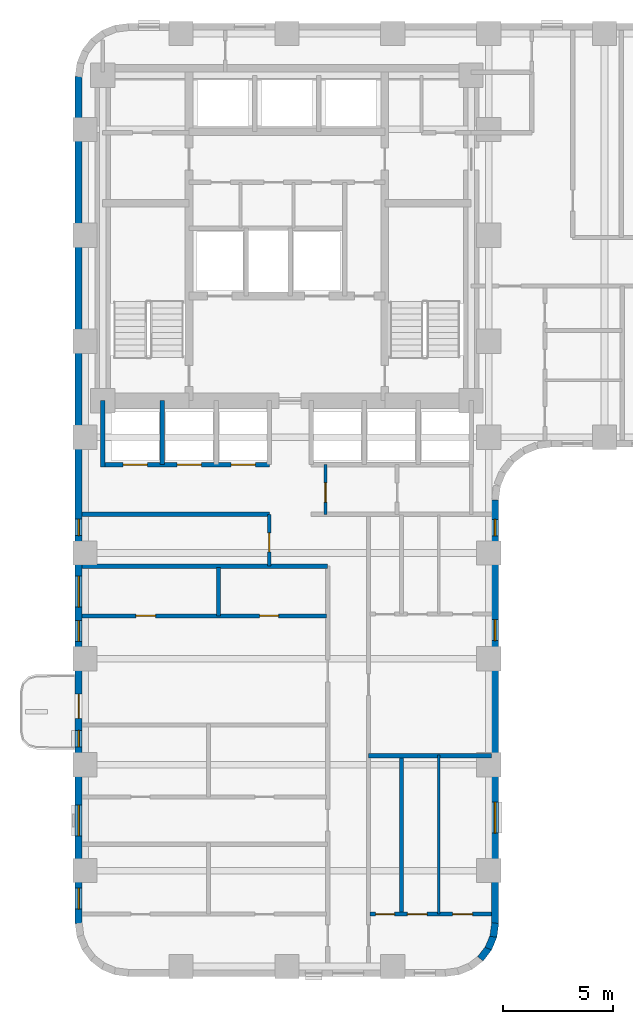
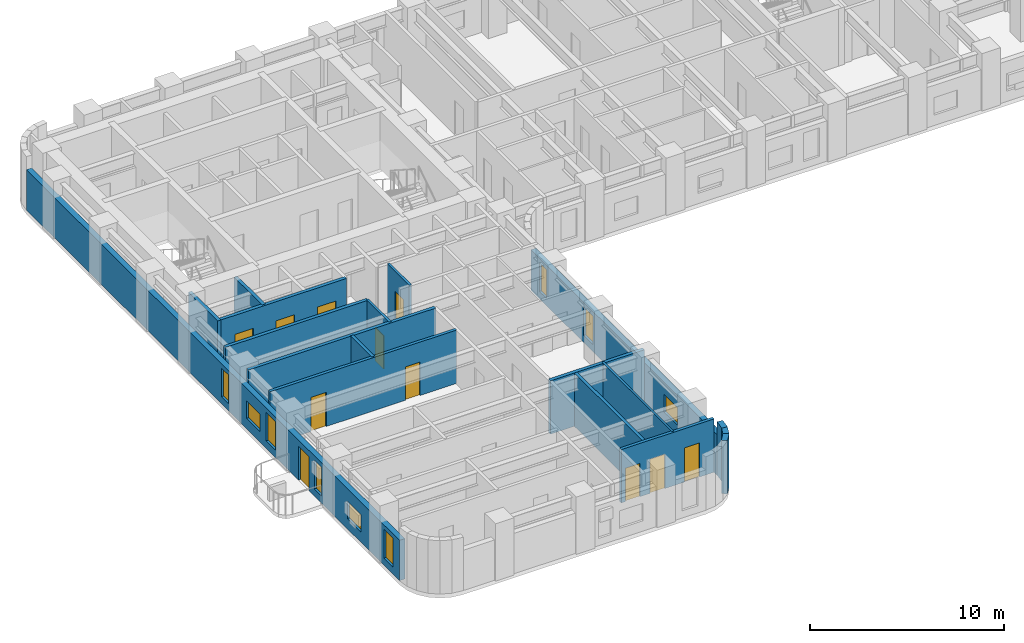
# One storey, part 3 of 11: 18 walls, 11 doors, 9 windows, 20 openings.
"""IFC4 building model written with IfcOpenShell, lengths in metres."""

from ifc_helpers import new_model, si_unit, direction, frame, frame_2d, origin, place, context, subcontext, project, spatial, rectangle, extrude, material, layer, layer_set, type_object, element, fill, save


model = new_model("IFC4")

# Units and contexts
model_context = context("Model", 3, precision=1e-05, world=origin(), true_north=direction((0.0, 1.0)))
body_context = subcontext(model_context, "Body", "Model", "MODEL_VIEW")
ifc_project = project(units=[si_unit("LENGTHUNIT", "METRE"), si_unit("AREAUNIT", "SQUARE_METRE"), si_unit("VOLUMEUNIT", "CUBIC_METRE"), si_unit("PLANEANGLEUNIT", "RADIAN"), si_unit("MASSUNIT", "GRAM", prefix="KILO")], contexts=[model_context])

# Site, building, storey
site_placement = place(None, origin())
site = spatial("IfcSite", under=ifc_project, at=site_placement, CompositionType="ELEMENT")
building_placement = place(site_placement, origin())
building = spatial("IfcBuilding", under=site, at=building_placement, Name="Orvandelia Arch Residences", CompositionType="ELEMENT")
storey_placement = place(building_placement, frame((0.0, 0.0, 50.199951171875)))
storey = spatial("IfcBuildingStorey", under=building, at=storey_placement, Name="L12", CompositionType="ELEMENT", Elevation=50.199951171875)

# Walls
ifc_material_1 = material(Name="Fire-Rated Corridor Partition")
ifc_layer_1 = layer(ifc_material_1, 0.199951171875, Name="Fire-Rated Corridor Partition")
ifc_layer_set_1 = layer_set([ifc_layer_1], Name="Fire-Rated Corridor Partition")
wall_type_1 = type_object("IfcWallType", Name="WL-CORR-200", PredefinedType="PARTITIONING", material=ifc_layer_set_1)
wall_1_placement = place(storey_placement, frame((5.1201171875, 23.39990234375, 0.0), z_axis=(0.0, 0.0, 1.0), x_axis=(1.0, 0.0, 0.0)))
element("IfcWall", 1, at=wall_1_placement, inside=storey, type_object=wall_type_1, Name="Interior Partition Wall WL-L12-WLNK-S", PredefinedType="PARTITIONING", context=body_context, shape_type="SweptSolid", body=[
    extrude(rectangle(XDim=11.1298828125, YDim=0.199951171875, at=frame_2d((5.56494140625, 0.0))), origin(), (0.0, 0.0, 1.0), 3.35009765625),
])
wall_2_placement = place(storey_placement, frame((5.1201171875, 25.75, 0.0), z_axis=(0.0, 0.0, 1.0), x_axis=(1.0, 0.0, 0.0)))
element("IfcWall", 2, at=wall_2_placement, inside=storey, type_object=wall_type_1, Name="Interior Partition Wall WL-L12-WLNK-NW2", PredefinedType="PARTITIONING", context=body_context, shape_type="SweptSolid", body=[
    extrude(rectangle(XDim=8.47998046875, YDim=0.199951171875, at=frame_2d((4.239990234375, 0.0))), origin(), (0.0, 0.0, 1.0), 3.35009765625),
])
ifc_material_2 = material(Name="Concrete C40/50", Category="concrete")
ifc_layer_2 = layer(ifc_material_2, 0.199951171875, Name="Concrete C40/50", Category="concrete")
ifc_layer_set_2 = layer_set([ifc_layer_2], Name="Concrete C40/50")
wall_type_2 = type_object("IfcWallType", Name="WL-DEM-200", PredefinedType="SOLIDWALL", material=ifc_layer_set_2)
wall_3_placement = place(storey_placement, frame((18.10009765625, 14.800048828125, 0.0), z_axis=(0.0, 0.0, 1.0), x_axis=(1.0, 0.0, 0.0)))
element("IfcWall", 3, at=wall_3_placement, inside=storey, type_object=wall_type_2, Name="Interior Partition Wall WL-L12-DEM-WR-148", PredefinedType="SOLIDWALL", context=body_context, shape_type="SweptSolid", body=[
    extrude(rectangle(XDim=5.579833984375, YDim=0.199951171875, at=frame_2d((2.7900390625, 0.0))), origin(), (0.0, 0.0, 1.0), 3.35009765625),
])

# Wall, openings, windows
ifc_material_3 = material(Name="Precast concrete C40/50", Category="concrete")
ifc_layer_3 = layer(ifc_material_3, 0.320068359375, Name="Precast concrete C40/50", Category="concrete")
ifc_layer_set_3 = layer_set([ifc_layer_3], Name="Precast concrete C40/50")
wall_type_3 = type_object("IfcWallType", Name="WL-EXT-STONE-320", PredefinedType="STANDARD", material=ifc_layer_set_3)
wall_4_placement = place(storey_placement, frame((23.840087890625, 26.39990234375, 0.0), z_axis=(0.0, 0.0, 1.0), x_axis=(0.0, -1.0, 0.0)))
wall_4 = element("IfcWall", 4, at=wall_4_placement, inside=storey, type_object=wall_type_3, Name="Coral-Limestone Precast Facade Wall L12-028", PredefinedType="STANDARD", context=body_context, shape_type="SweptSolid", body=[
    extrude(rectangle(XDim=19.199951171875, YDim=0.320068359375, at=frame_2d((9.60009765625, 0.0))), origin(), (0.0, 0.0, 1.0), 2.530029296875),
])
opening_1_placement = place(wall_4_placement, frame((13.699951171875, 0.0, 0.64990234375)))
opening_1 = element("IfcOpeningElement", 5, at=opening_1_placement, cuts=wall_4, Name="Opening W10", PredefinedType="OPENING", context=body_context, shape_type="SweptSolid", body=[
    extrude(rectangle(XDim=1.39990234375, YDim=1.10009765625, at=frame_2d((0.699951171875, 0.550048828125))), frame((0.0, 0.169921875, 0.0), z_axis=(0.0, -1.0, 0.0), x_axis=(1.0, 0.0, 0.0)), (0.0, 0.0, 1.0), 0.340087890625),
])
opening_2_placement = place(wall_4_placement, frame((0.8798828125, 0.0, 0.449951171875)))
opening_2 = element("IfcOpeningElement", 6, at=opening_2_placement, cuts=wall_4, Name="Opening W11", PredefinedType="OPENING", context=body_context, shape_type="SweptSolid", body=[
    extrude(rectangle(XDim=0.75, YDim=1.800048828125, at=frame_2d((0.375, 0.89990234375))), frame((0.0, 0.169921875, 0.0), z_axis=(0.0, -1.0, 0.0), x_axis=(1.0, 0.0, 0.0)), (0.0, 0.0, 1.0), 0.340087890625),
])
opening_3_placement = place(wall_4_placement, frame((5.427978515625, 0.0, 0.449951171875)))
opening_3 = element("IfcOpeningElement", 7, at=opening_3_placement, cuts=wall_4, Name="Opening W4", PredefinedType="OPENING", context=body_context, shape_type="SweptSolid", body=[
    extrude(rectangle(XDim=0.949951171875, YDim=1.800048828125, at=frame_2d((0.47509765625, 0.89990234375))), frame((0.0, 0.169921875, 0.0), z_axis=(0.0, -1.0, 0.0), x_axis=(1.0, 0.0, 0.0)), (0.0, 0.0, 1.0), 0.340087890625),
])
ifc_material_4 = material(Name="Tempered Low-E Insulated Glazing", Category="glass")
window_type_1 = type_object("IfcWindowType", Name="WIN-BED-0750x1800", PartitioningType="SINGLE_PANEL", PredefinedType="WINDOW", material=ifc_material_4)
window_1_placement = place(opening_2_placement, origin())
window_1 = element("IfcWindow", 8, at=window_1_placement, inside=storey, type_object=window_type_1, Name="Recessed Punched Window L12-022", OverallHeight=1.800048828125, OverallWidth=0.75, PartitioningType="SINGLE_PANEL", PredefinedType="WINDOW", context=body_context, shape_type="SweptSolid", body=[
    extrude(rectangle(XDim=0.75, YDim=1.800048828125, at=frame_2d((0.375, 0.89990234375))), frame((0.0, 0.030029296875, 0.0), z_axis=(0.0, -1.0, 0.0), x_axis=(1.0, 0.0, 0.0)), (0.0, 0.0, 1.0), 0.06005859375),
])
fill(opening_2, window_1)
window_type_2 = type_object("IfcWindowType", Name="WIN-CLR-1400x1100", PartitioningType="SINGLE_PANEL", PredefinedType="WINDOW", material=ifc_material_4)
window_2_placement = place(opening_1_placement, origin())
window_2 = element("IfcWindow", 9, at=window_2_placement, inside=storey, type_object=window_type_2, Name="Recessed Punched Window L12-021", OverallHeight=1.10009765625, OverallWidth=1.39990234375, PartitioningType="SINGLE_PANEL", PredefinedType="WINDOW", context=body_context, shape_type="SweptSolid", body=[
    extrude(rectangle(XDim=1.39990234375, YDim=1.10009765625, at=frame_2d((0.699951171875, 0.550048828125))), frame((0.0, 0.030029296875, 0.0), z_axis=(0.0, -1.0, 0.0), x_axis=(1.0, 0.0, 0.0)), (0.0, 0.0, 1.0), 0.06005859375),
])
fill(opening_1, window_2)
window_type_3 = type_object("IfcWindowType", Name="WIN-RES-0950x1800", PartitioningType="SINGLE_PANEL", PredefinedType="WINDOW", material=ifc_material_4)
window_3_placement = place(opening_3_placement, origin())
window_3 = element("IfcWindow", 10, at=window_3_placement, inside=storey, type_object=window_type_3, Name="Recessed Punched Window L12-023", OverallHeight=1.800048828125, OverallWidth=0.949951171875, PartitioningType="SINGLE_PANEL", PredefinedType="WINDOW", context=body_context, shape_type="SweptSolid", body=[
    extrude(rectangle(XDim=0.949951171875, YDim=1.800048828125, at=frame_2d((0.47509765625, 0.89990234375))), frame((0.0, 0.030029296875, 0.0), z_axis=(0.0, -1.0, 0.0), x_axis=(1.0, 0.0, 0.0)), (0.0, 0.0, 1.0), 0.06005859375),
])
fill(opening_3, window_3)

# Walls
wall_5_placement = place(storey_placement, frame((23.84130859375, 7.220947265625, 0.0), z_axis=(0.0, 0.0, 1.0), x_axis=(-0.130504898859, -0.991447664465, 0.0)))
element("IfcWall", 11, at=wall_5_placement, inside=storey, type_object=wall_type_3, Name="Coral-Limestone Precast Facade Wall L12-029", PredefinedType="STANDARD", context=body_context, shape_type="SweptSolid", body=[
    extrude(rectangle(XDim=0.626708984375, YDim=0.320068359375, at=frame_2d((0.3134765625, 0.0))), origin(), (0.0, 0.0, 1.0), 3.35009765625),
])
wall_6_placement = place(storey_placement, frame((23.7705078125, 6.639892578125, 0.0), z_axis=(0.0, 0.0, 1.0), x_axis=(-0.382787856107, -0.923836271867, 0.0)))
element("IfcWall", 12, at=wall_6_placement, inside=storey, type_object=wall_type_3, Name="Coral-Limestone Precast Facade Wall L12-030", PredefinedType="STANDARD", context=body_context, shape_type="SweptSolid", body=[
    extrude(rectangle(XDim=0.626220703125, YDim=0.320068359375, at=frame_2d((0.31298828125, 0.0))), origin(), (0.0, 0.0, 1.0), 3.35009765625),
])
wall_7_placement = place(storey_placement, frame((23.551513671875, 6.097412109375, 0.0), z_axis=(0.0, 0.0, 1.0), x_axis=(-0.608693302629, -0.793405610854, 0.0)))
element("IfcWall", 13, at=wall_7_placement, inside=storey, type_object=wall_type_3, Name="Coral-Limestone Precast Facade Wall L12-031", PredefinedType="STANDARD", context=body_context, shape_type="SweptSolid", body=[
    extrude(rectangle(XDim=0.62646484375, YDim=0.320068359375, at=frame_2d((0.313232421875, 0.0))), origin(), (0.0, 0.0, 1.0), 3.35009765625),
])

# Wall, openings, door, windows
wall_8_placement = place(storey_placement, frame((4.9599609375, 7.199951171875, 0.0), z_axis=(0.0, 0.0, 1.0), x_axis=(0.0, 1.0, 0.0)))
wall_8 = element("IfcWall", 14, at=wall_8_placement, inside=storey, type_object=wall_type_3, Name="Coral-Limestone Precast Facade Wall L12-042", PredefinedType="STANDARD", context=body_context, shape_type="SweptSolid", body=[
    extrude(rectangle(XDim=38.400146484375, YDim=0.320068359375, at=frame_2d((19.2001953125, 0.0))), origin(), (0.0, 0.0, 1.0), 2.530029296875),
])
opening_4_placement = place(wall_8_placement, frame((9.300048828125, 0.0, 0.0)))
opening_4 = element("IfcOpeningElement", 15, at=opening_4_placement, cuts=wall_8, Name="Opening BD1", PredefinedType="OPENING", context=body_context, shape_type="SweptSolid", body=[
    extrude(rectangle(XDim=1.10009765625, YDim=2.14990234375, at=frame_2d((0.550048828125, 1.074951171875))), frame((0.0, 0.169921875, 0.0), z_axis=(0.0, -1.0, 0.0), x_axis=(1.0, 0.0, 0.0)), (0.0, 0.0, 1.0), 0.340087890625),
])
opening_5_placement = place(wall_8_placement, frame((3.969970703125, 0.0, 0.64990234375)))
opening_5 = element("IfcOpeningElement", 16, at=opening_5_placement, cuts=wall_8, Name="Opening W10", PredefinedType="OPENING", context=body_context, shape_type="SweptSolid", body=[
    extrude(rectangle(XDim=1.39990234375, YDim=1.10009765625, at=frame_2d((0.699951171875, 0.550048828125))), frame((0.0, 0.169921875, 0.0), z_axis=(0.0, -1.0, 0.0), x_axis=(1.0, 0.0, 0.0)), (0.0, 0.0, 1.0), 0.340087890625),
])
opening_6_placement = place(wall_8_placement, frame((12.785400390625, 0.0, 0.449951171875)))
opening_6 = element("IfcOpeningElement", 17, at=opening_6_placement, cuts=wall_8, Name="Opening W4", PredefinedType="OPENING", context=body_context, shape_type="SweptSolid", body=[
    extrude(rectangle(XDim=0.949951171875, YDim=1.800048828125, at=frame_2d((0.47509765625, 0.89990234375))), frame((0.0, 0.169921875, 0.0), z_axis=(0.0, -1.0, 0.0), x_axis=(1.0, 0.0, 0.0)), (0.0, 0.0, 1.0), 0.340087890625),
])
opening_7_placement = place(wall_8_placement, frame((0.652099609375, 0.0, 0.449951171875)))
opening_7 = element("IfcOpeningElement", 18, at=opening_7_placement, cuts=wall_8, Name="Opening W4", PredefinedType="OPENING", context=body_context, shape_type="SweptSolid", body=[
    extrude(rectangle(XDim=0.949951171875, YDim=1.800048828125, at=frame_2d((0.47509765625, 0.89990234375))), frame((0.0, 0.169921875, 0.0), z_axis=(0.0, -1.0, 0.0), x_axis=(1.0, 0.0, 0.0)), (0.0, 0.0, 1.0), 0.340087890625),
])
opening_8_placement = place(wall_8_placement, frame((8.010009765625, 0.0, 0.449951171875)))
opening_8 = element("IfcOpeningElement", 19, at=opening_8_placement, cuts=wall_8, Name="Opening W11", PredefinedType="OPENING", context=body_context, shape_type="SweptSolid", body=[
    extrude(rectangle(XDim=0.75, YDim=1.800048828125, at=frame_2d((0.375, 0.89990234375))), frame((0.0, 0.169921875, 0.0), z_axis=(0.0, -1.0, 0.0), x_axis=(1.0, 0.0, 0.0)), (0.0, 0.0, 1.0), 0.340087890625),
])
opening_9_placement = place(wall_8_placement, frame((14.345458984375, 0.0, 0.64990234375)))
opening_9 = element("IfcOpeningElement", 20, at=opening_9_placement, cuts=wall_8, Name="Opening W10", PredefinedType="OPENING", context=body_context, shape_type="SweptSolid", body=[
    extrude(rectangle(XDim=1.39990234375, YDim=1.10009765625, at=frame_2d((0.699951171875, 0.550048828125))), frame((0.0, 0.169921875, 0.0), z_axis=(0.0, -1.0, 0.0), x_axis=(1.0, 0.0, 0.0)), (0.0, 0.0, 1.0), 0.340087890625),
])
opening_10_placement = place(wall_8_placement, frame((17.580078125, 0.0, 0.449951171875)))
opening_10 = element("IfcOpeningElement", 21, at=opening_10_placement, cuts=wall_8, Name="Opening W11", PredefinedType="OPENING", context=body_context, shape_type="SweptSolid", body=[
    extrude(rectangle(XDim=0.75, YDim=1.800048828125, at=frame_2d((0.375, 0.89990234375))), frame((0.0, 0.169921875, 0.0), z_axis=(0.0, -1.0, 0.0), x_axis=(1.0, 0.0, 0.0)), (0.0, 0.0, 1.0), 0.340087890625),
])
ifc_material_5 = material(Name="Thermally Broken Aluminium Glazed Door", Category="aluminium")
door_type_1 = type_object("IfcDoorType", Name="DR-BAL-GLAZ-1100", OperationType="NOTDEFINED", PredefinedType="DOOR", material=ifc_material_5)
door_1_placement = place(opening_4_placement, origin())
door_1 = element("IfcDoor", 22, at=door_1_placement, inside=storey, type_object=door_type_1, Name="Tree Balcony Glazed Door BAL-L12-W1", OperationType="SINGLE_SWING_RIGHT", OverallHeight=2.14990234375, OverallWidth=1.10009765625, PredefinedType="DOOR", context=body_context, shape_type="SweptSolid", body=[
    extrude(rectangle(XDim=1.10009765625, YDim=2.14990234375, at=frame_2d((0.550048828125, 1.074951171875))), frame((0.0, 0.02490234375, 0.0), z_axis=(0.0, -1.0, 0.0), x_axis=(1.0, 0.0, 0.0)), (0.0, 0.0, 1.0), 0.050048828125),
])
fill(opening_4, door_1)
window_4_placement = place(opening_8_placement, origin())
window_4 = element("IfcWindow", 23, at=window_4_placement, inside=storey, type_object=window_type_1, Name="Recessed Punched Window L12-030", OverallHeight=1.800048828125, OverallWidth=0.75, PartitioningType="SINGLE_PANEL", PredefinedType="WINDOW", context=body_context, shape_type="SweptSolid", body=[
    extrude(rectangle(XDim=0.75, YDim=1.800048828125, at=frame_2d((0.375, 0.89990234375))), frame((0.0, 0.030029296875, 0.0), z_axis=(0.0, -1.0, 0.0), x_axis=(1.0, 0.0, 0.0)), (0.0, 0.0, 1.0), 0.06005859375),
])
fill(opening_8, window_4)
window_5_placement = place(opening_10_placement, origin())
window_5 = element("IfcWindow", 24, at=window_5_placement, inside=storey, type_object=window_type_1, Name="Recessed Punched Window L12-032", OverallHeight=1.800048828125, OverallWidth=0.75, PartitioningType="SINGLE_PANEL", PredefinedType="WINDOW", context=body_context, shape_type="SweptSolid", body=[
    extrude(rectangle(XDim=0.75, YDim=1.800048828125, at=frame_2d((0.375, 0.89990234375))), frame((0.0, 0.030029296875, 0.0), z_axis=(0.0, -1.0, 0.0), x_axis=(1.0, 0.0, 0.0)), (0.0, 0.0, 1.0), 0.06005859375),
])
fill(opening_10, window_5)
window_6_placement = place(opening_5_placement, origin())
window_6 = element("IfcWindow", 25, at=window_6_placement, inside=storey, type_object=window_type_2, Name="Recessed Punched Window L12-027", OverallHeight=1.10009765625, OverallWidth=1.39990234375, PartitioningType="SINGLE_PANEL", PredefinedType="WINDOW", context=body_context, shape_type="SweptSolid", body=[
    extrude(rectangle(XDim=1.39990234375, YDim=1.10009765625, at=frame_2d((0.699951171875, 0.550048828125))), frame((0.0, 0.030029296875, 0.0), z_axis=(0.0, -1.0, 0.0), x_axis=(1.0, 0.0, 0.0)), (0.0, 0.0, 1.0), 0.06005859375),
])
fill(opening_5, window_6)
window_7_placement = place(opening_9_placement, origin())
window_7 = element("IfcWindow", 26, at=window_7_placement, inside=storey, type_object=window_type_2, Name="Recessed Punched Window L12-031", OverallHeight=1.10009765625, OverallWidth=1.39990234375, PartitioningType="SINGLE_PANEL", PredefinedType="WINDOW", context=body_context, shape_type="SweptSolid", body=[
    extrude(rectangle(XDim=1.39990234375, YDim=1.10009765625, at=frame_2d((0.699951171875, 0.550048828125))), frame((0.0, 0.030029296875, 0.0), z_axis=(0.0, -1.0, 0.0), x_axis=(1.0, 0.0, 0.0)), (0.0, 0.0, 1.0), 0.06005859375),
])
fill(opening_9, window_7)
window_8_placement = place(opening_6_placement, origin())
window_8 = element("IfcWindow", 27, at=window_8_placement, inside=storey, type_object=window_type_3, Name="Recessed Punched Window L12-028", OverallHeight=1.800048828125, OverallWidth=0.949951171875, PartitioningType="SINGLE_PANEL", PredefinedType="WINDOW", context=body_context, shape_type="SweptSolid", body=[
    extrude(rectangle(XDim=0.949951171875, YDim=1.800048828125, at=frame_2d((0.47509765625, 0.89990234375))), frame((0.0, 0.030029296875, 0.0), z_axis=(0.0, -1.0, 0.0), x_axis=(1.0, 0.0, 0.0)), (0.0, 0.0, 1.0), 0.06005859375),
])
fill(opening_6, window_8)
window_9_placement = place(opening_7_placement, origin())
window_9 = element("IfcWindow", 28, at=window_9_placement, inside=storey, type_object=window_type_3, Name="Recessed Punched Window L12-029", OverallHeight=1.800048828125, OverallWidth=0.949951171875, PartitioningType="SINGLE_PANEL", PredefinedType="WINDOW", context=body_context, shape_type="SweptSolid", body=[
    extrude(rectangle(XDim=0.949951171875, YDim=1.800048828125, at=frame_2d((0.47509765625, 0.89990234375))), frame((0.0, 0.030029296875, 0.0), z_axis=(0.0, -1.0, 0.0), x_axis=(1.0, 0.0, 0.0)), (0.0, 0.0, 1.0), 0.06005859375),
])
fill(opening_7, window_9)

# Wall
ifc_material_6 = material(Name="Lightweight Gypsum Stud Partition")
ifc_layer_4 = layer(ifc_material_6, 0.1201171875, Name="Lightweight Gypsum Stud Partition")
ifc_layer_set_4 = layer_set([ifc_layer_4], Name="Lightweight Gypsum Stud Partition")
wall_type_4 = type_object("IfcWallType", Name="WL-PART-120", PredefinedType="PARTITIONING", material=ifc_layer_set_4)
wall_9_placement = place(storey_placement, frame((21.284912109375, 7.6259765625, 0.0), z_axis=(0.0, 0.0, 1.0), x_axis=(0.0, 1.0, 0.0)))
element("IfcWall", 29, at=wall_9_placement, inside=storey, type_object=wall_type_4, Name="Interior Partition Wall WL-L12-U04-V2", PredefinedType="PARTITIONING", context=body_context, shape_type="SweptSolid", body=[
    extrude(rectangle(XDim=7.214111328125, YDim=0.1201171875, at=frame_2d((3.60693359375, 0.0))), origin(), (0.0, 0.0, 1.0), 3.35009765625),
])

# Wall, opening, door
ifc_material_7 = material(Name="Acoustic Gypsum Stud Partition")
ifc_layer_5 = layer(ifc_material_7, 0.14990234375, Name="Acoustic Gypsum Stud Partition")
ifc_layer_set_5 = layer_set([ifc_layer_5], Name="Acoustic Gypsum Stud Partition")
wall_type_5 = type_object("IfcWallType", Name="WL-PART-150", PredefinedType="PARTITIONING", material=ifc_layer_set_5)
wall_10_placement = place(storey_placement, frame((16.14990234375, 25.75, 0.0), z_axis=(0.0, 0.0, 1.0), x_axis=(0.0, 1.0, 0.0)))
wall_10 = element("IfcWall", 30, at=wall_10_placement, inside=storey, type_object=wall_type_5, Name="Interior Partition Wall WL-L12-HLS-EW", PredefinedType="PARTITIONING", context=body_context, shape_type="SweptSolid", body=[
    extrude(rectangle(XDim=2.25, YDim=0.14990234375, at=frame_2d((1.125, 0.0))), origin(), (0.0, 0.0, 1.0), 3.35009765625),
])
opening_11_placement = place(wall_10_placement, frame((0.550048828125, 0.0, 0.0)))
opening_11 = element("IfcOpeningElement", 31, at=opening_11_placement, cuts=wall_10, Name="Opening D5", PredefinedType="OPENING", context=body_context, shape_type="SweptSolid", body=[
    extrude(rectangle(XDim=0.8798828125, YDim=2.10009765625, at=frame_2d((0.43994140625, 1.050048828125))), frame((0.0, 0.0849609375, 0.0), z_axis=(0.0, -1.0, 0.0), x_axis=(1.0, 0.0, 0.0)), (0.0, 0.0, 1.0), 0.169921875),
])
ifc_material_8 = material(Name="Painted Galvanised Steel Service Door", Category="steel")
door_type_2 = type_object("IfcDoorType", Name="DR-SRV-880", OperationType="NOTDEFINED", PredefinedType="DOOR", material=ifc_material_8)
door_2_placement = place(opening_11_placement, origin())
door_2 = element("IfcDoor", 32, at=door_2_placement, inside=storey, type_object=door_type_2, Name="DR-L12-CSZ1A", OperationType="SINGLE_SWING_LEFT", OverallHeight=2.10009765625, OverallWidth=0.8798828125, PredefinedType="DOOR", context=body_context, shape_type="SweptSolid", body=[
    extrude(rectangle(XDim=0.8798828125, YDim=2.10009765625, at=frame_2d((0.43994140625, 1.050048828125))), frame((0.0, 0.02490234375, 0.0), z_axis=(0.0, -1.0, 0.0), x_axis=(1.0, 0.0, 0.0)), (0.0, 0.0, 1.0), 0.050048828125),
])
fill(opening_11, door_2)

wall_11_placement = place(storey_placement, frame((13.60009765625, 23.39990234375, 0.0), z_axis=(0.0, 0.0, 1.0), x_axis=(0.0, 1.0, 0.0)))
wall_11 = element("IfcWall", 33, at=wall_11_placement, inside=storey, type_object=wall_type_5, Name="Interior Partition Wall WL-L12-WLNK-W", PredefinedType="PARTITIONING", context=body_context, shape_type="SweptSolid", body=[
    extrude(rectangle(XDim=2.35009765625, YDim=0.14990234375, at=frame_2d((1.175048828125, 0.0))), origin(), (0.0, 0.0, 1.0), 3.35009765625),
])
opening_12_placement = place(wall_11_placement, frame((0.64990234375, 0.0, 0.0)))
opening_12 = element("IfcOpeningElement", 34, at=opening_12_placement, cuts=wall_11, Name="Opening D4", PredefinedType="OPENING", context=body_context, shape_type="SweptSolid", body=[
    extrude(rectangle(XDim=0.860107421875, YDim=2.10009765625, at=frame_2d((0.43017578125, 1.050048828125))), frame((0.0, 0.0849609375, 0.0), z_axis=(0.0, -1.0, 0.0), x_axis=(1.0, 0.0, 0.0)), (0.0, 0.0, 1.0), 0.169921875),
])
ifc_material_9 = material(Name="Moisture-Sealed Timber Bathroom Door", Category="wood")
door_type_3 = type_object("IfcDoorType", Name="DR-WET-900", OperationType="NOTDEFINED", PredefinedType="DOOR", material=ifc_material_9)
door_3_placement = place(opening_12_placement, origin())
door_3 = element("IfcDoor", 35, at=door_3_placement, inside=storey, type_object=door_type_3, Name="DR-L12-WLNKST", OperationType="SINGLE_SWING_LEFT", OverallHeight=2.10009765625, OverallWidth=0.860107421875, PredefinedType="DOOR", context=body_context, shape_type="SweptSolid", body=[
    extrude(rectangle(XDim=0.860107421875, YDim=2.10009765625, at=frame_2d((0.43017578125, 1.050048828125))), frame((0.0, 0.02490234375, 0.0), z_axis=(0.0, -1.0, 0.0), x_axis=(1.0, 0.0, 0.0)), (0.0, 0.0, 1.0), 0.050048828125),
])
fill(opening_12, door_3)

# Wall, openings, doors
ifc_material_10 = material(Name="Fire-Rated Shaft Enclosure Wall")
ifc_layer_6 = layer(ifc_material_10, 0.199951171875, Name="Fire-Rated Shaft Enclosure Wall")
ifc_layer_set_6 = layer_set([ifc_layer_6], Name="Fire-Rated Shaft Enclosure Wall")
wall_type_6 = type_object("IfcWallType", Name="WL-SHAFT-200", PredefinedType="POLYGONAL", material=ifc_layer_set_6)
wall_12_placement = place(storey_placement, frame((6.050048828125, 28.0, 0.0), z_axis=(0.0, 0.0, 1.0), x_axis=(1.0, 0.0, 0.0)))
wall_12 = element("IfcWall", 36, at=wall_12_placement, inside=storey, type_object=wall_type_6, Name="Interior Partition Wall WL-L12-BNKL-S", PredefinedType="POLYGONAL", context=body_context, shape_type="SweptSolid", body=[
    extrude(rectangle(XDim=7.550048828125, YDim=0.199951171875, at=frame_2d((3.77490234375, 0.0))), origin(), (0.0, 0.0, 1.0), 3.35009765625),
])
opening_13_placement = place(wall_12_placement, frame((0.925048828125, 0.0, 0.0)))
opening_13 = element("IfcOpeningElement", 37, at=opening_13_placement, cuts=wall_12, Name="Opening LD", PredefinedType="OPENING", context=body_context, shape_type="SweptSolid", body=[
    extrude(rectangle(XDim=1.10009765625, YDim=2.14990234375, at=frame_2d((0.550048828125, 1.074951171875))), frame((0.0, 0.10986328125, 0.0), z_axis=(0.0, -1.0, 0.0), x_axis=(1.0, 0.0, 0.0)), (0.0, 0.0, 1.0), 0.219970703125),
])
opening_14_placement = place(wall_12_placement, frame((3.375, 0.0, 0.0)))
opening_14 = element("IfcOpeningElement", 38, at=opening_14_placement, cuts=wall_12, Name="Opening LD", PredefinedType="OPENING", context=body_context, shape_type="SweptSolid", body=[
    extrude(rectangle(XDim=1.10009765625, YDim=2.14990234375, at=frame_2d((0.550048828125, 1.074951171875))), frame((0.0, 0.10986328125, 0.0), z_axis=(0.0, -1.0, 0.0), x_axis=(1.0, 0.0, 0.0)), (0.0, 0.0, 1.0), 0.219970703125),
])
opening_15_placement = place(wall_12_placement, frame((5.824951171875, 0.0, 0.0)))
opening_15 = element("IfcOpeningElement", 39, at=opening_15_placement, cuts=wall_12, Name="Opening LD", PredefinedType="OPENING", context=body_context, shape_type="SweptSolid", body=[
    extrude(rectangle(XDim=1.10009765625, YDim=2.14990234375, at=frame_2d((0.550048828125, 1.074951171875))), frame((0.0, 0.10986328125, 0.0), z_axis=(0.0, -1.0, 0.0), x_axis=(1.0, 0.0, 0.0)), (0.0, 0.0, 1.0), 0.219970703125),
])
ifc_material_11 = material(Name="Brushed Stainless Steel Sliding Lift Door", Category="steel")
door_type_4 = type_object("IfcDoorType", Name="DR-LIFT-1100", OperationType="NOTDEFINED", PredefinedType="DOOR", material=ifc_material_11)
door_4_placement = place(opening_13_placement, origin())
door_4 = element("IfcDoor", 40, at=door_4_placement, inside=storey, type_object=door_type_4, Name="Lift Landing Door LD-PL1", OperationType="SLIDING_TO_LEFT", OverallHeight=2.14990234375, OverallWidth=1.10009765625, PredefinedType="DOOR", context=body_context, shape_type="SweptSolid", body=[
    extrude(rectangle(XDim=1.10009765625, YDim=2.14990234375, at=frame_2d((0.550048828125, 1.074951171875))), frame((0.0, 0.02490234375, 0.0), z_axis=(0.0, -1.0, 0.0), x_axis=(1.0, 0.0, 0.0)), (0.0, 0.0, 1.0), 0.050048828125),
])
fill(opening_13, door_4)
door_5_placement = place(opening_14_placement, origin())
door_5 = element("IfcDoor", 41, at=door_5_placement, inside=storey, type_object=door_type_4, Name="Lift Landing Door LD-PL2", OperationType="SLIDING_TO_RIGHT", OverallHeight=2.14990234375, OverallWidth=1.10009765625, PredefinedType="DOOR", context=body_context, shape_type="SweptSolid", body=[
    extrude(rectangle(XDim=1.10009765625, YDim=2.14990234375, at=frame_2d((0.550048828125, 1.074951171875))), frame((0.0, 0.02490234375, 0.0), z_axis=(0.0, -1.0, 0.0), x_axis=(1.0, 0.0, 0.0)), (0.0, 0.0, 1.0), 0.050048828125),
])
fill(opening_14, door_5)
door_6_placement = place(opening_15_placement, origin())
door_6 = element("IfcDoor", 42, at=door_6_placement, inside=storey, type_object=door_type_4, Name="Lift Landing Door LD-PL3", OperationType="SLIDING_TO_LEFT", OverallHeight=2.14990234375, OverallWidth=1.10009765625, PredefinedType="DOOR", context=body_context, shape_type="SweptSolid", body=[
    extrude(rectangle(XDim=1.10009765625, YDim=2.14990234375, at=frame_2d((0.550048828125, 1.074951171875))), frame((0.0, 0.02490234375, 0.0), z_axis=(0.0, -1.0, 0.0), x_axis=(1.0, 0.0, 0.0)), (0.0, 0.0, 1.0), 0.050048828125),
])
fill(opening_15, door_6)

# Walls
wall_13_placement = place(storey_placement, frame((6.050048828125, 27.89990234375, 0.0), z_axis=(0.0, 0.0, 1.0), x_axis=(0.0, 1.0, 0.0)))
element("IfcWall", 43, at=wall_13_placement, inside=storey, type_object=wall_type_6, Name="Interior Partition Wall WL-L12-BNKL-W", PredefinedType="POLYGONAL", context=body_context, shape_type="SweptSolid", body=[
    extrude(rectangle(XDim=3.0, YDim=0.199951171875, at=frame_2d((1.5, 0.0))), origin(), (0.0, 0.0, 1.0), 3.35009765625),
])
wall_14_placement = place(storey_placement, frame((8.75, 28.0, 0.0), z_axis=(0.0, 0.0, 1.0), x_axis=(0.0, 1.0, 0.0)))
element("IfcWall", 44, at=wall_14_placement, inside=storey, type_object=wall_type_6, Name="Interior Partition Wall WL-L12-BNKD-875", PredefinedType="POLYGONAL", context=body_context, shape_type="SweptSolid", body=[
    extrude(rectangle(XDim=2.89990234375, YDim=0.199951171875, at=frame_2d((1.449951171875, 0.0))), origin(), (0.0, 0.0, 1.0), 3.35009765625),
])

# Wall, openings, doors
ifc_material_12 = material(Name="Moisture-Resistant Plumbing Wall")
ifc_layer_7 = layer(ifc_material_12, 0.179931640625, Name="Moisture-Resistant Plumbing Wall")
ifc_layer_set_7 = layer_set([ifc_layer_7], Name="Moisture-Resistant Plumbing Wall")
wall_type_7 = type_object("IfcWallType", Name="WL-WET-180", PredefinedType="PLUMBINGWALL", material=ifc_layer_set_7)
wall_15_placement = place(storey_placement, frame((5.1201171875, 21.15087890625, 0.0), z_axis=(0.0, 0.0, 1.0), x_axis=(1.0, 0.0, 0.0)))
wall_15 = element("IfcWall", 45, at=wall_15_placement, inside=storey, type_object=wall_type_7, Name="Interior Partition Wall WL-L12-U03-HZ", PredefinedType="PLUMBINGWALL", context=body_context, shape_type="SweptSolid", body=[
    extrude(rectangle(XDim=11.06982421875, YDim=0.179931640625, at=frame_2d((5.534912109375, 0.0))), origin(), (0.0, 0.0, 1.0), 3.35009765625),
])
opening_16_placement = place(wall_15_placement, frame((2.431396484375, 0.0, 0.0)))
opening_16 = element("IfcOpeningElement", 46, at=opening_16_placement, cuts=wall_15, Name="Opening D3", PredefinedType="OPENING", context=body_context, shape_type="SweptSolid", body=[
    extrude(rectangle(XDim=0.89990234375, YDim=2.14990234375, at=frame_2d((0.449951171875, 1.074951171875))), frame((0.0, 0.10009765625, 0.0), z_axis=(0.0, -1.0, 0.0), x_axis=(1.0, 0.0, 0.0)), (0.0, 0.0, 1.0), 0.199951171875),
])
opening_17_placement = place(wall_15_placement, frame((8.04638671875, 0.0, 0.0)))
opening_17 = element("IfcOpeningElement", 47, at=opening_17_placement, cuts=wall_15, Name="Opening D4", PredefinedType="OPENING", context=body_context, shape_type="SweptSolid", body=[
    extrude(rectangle(XDim=0.860107421875, YDim=2.10009765625, at=frame_2d((0.43017578125, 1.050048828125))), frame((0.0, 0.10009765625, 0.0), z_axis=(0.0, -1.0, 0.0), x_axis=(1.0, 0.0, 0.0)), (0.0, 0.0, 1.0), 0.199951171875),
])
ifc_material_13 = material(Name="Engineered Timber Flush Door", Category="wood")
door_type_5 = type_object("IfcDoorType", Name="DR-INT-900", OperationType="NOTDEFINED", PredefinedType="DOOR", material=ifc_material_13)
door_7_placement = place(opening_16_placement, origin())
door_7 = element("IfcDoor", 48, at=door_7_placement, inside=storey, type_object=door_type_5, Name="DR-L12-U03-KIT", OperationType="SINGLE_SWING_LEFT", OverallHeight=2.14990234375, OverallWidth=0.89990234375, PredefinedType="DOOR", context=body_context, shape_type="SweptSolid", body=[
    extrude(rectangle(XDim=0.89990234375, YDim=2.14990234375, at=frame_2d((0.449951171875, 1.074951171875))), frame((0.0, 0.02490234375, 0.0), z_axis=(0.0, -1.0, 0.0), x_axis=(1.0, 0.0, 0.0)), (0.0, 0.0, 1.0), 0.050048828125),
])
fill(opening_16, door_7)
door_8_placement = place(opening_17_placement, origin())
door_8 = element("IfcDoor", 49, at=door_8_placement, inside=storey, type_object=door_type_3, Name="DR-L12-U03-BTH", OperationType="SINGLE_SWING_RIGHT", OverallHeight=2.10009765625, OverallWidth=0.860107421875, PredefinedType="DOOR", context=body_context, shape_type="SweptSolid", body=[
    extrude(rectangle(XDim=0.860107421875, YDim=2.10009765625, at=frame_2d((0.43017578125, 1.050048828125))), frame((0.0, 0.02490234375, 0.0), z_axis=(0.0, -1.0, 0.0), x_axis=(1.0, 0.0, 0.0)), (0.0, 0.0, 1.0), 0.050048828125),
])
fill(opening_17, door_8)

# Wall
wall_16_placement = place(storey_placement, frame((11.29296875, 21.15087890625, 0.0), z_axis=(0.0, 0.0, 1.0), x_axis=(0.0, 1.0, 0.0)))
element("IfcWall", 50, at=wall_16_placement, inside=storey, type_object=wall_type_7, Name="Interior Partition Wall WL-L12-U03-V1", PredefinedType="PLUMBINGWALL", context=body_context, shape_type="SweptSolid", body=[
    extrude(rectangle(XDim=2.189208984375, YDim=0.179931640625, at=frame_2d((1.0947265625, 0.0))), origin(), (0.0, 0.0, 1.0), 3.35009765625),
])

# Wall, openings, doors
wall_17_placement = place(storey_placement, frame((18.159912109375, 7.6259765625, 0.0), z_axis=(0.0, 0.0, 1.0), x_axis=(1.0, 0.0, 0.0)))
wall_17 = element("IfcWall", 51, at=wall_17_placement, inside=storey, type_object=wall_type_7, Name="Interior Partition Wall WL-L12-U04-HZ", PredefinedType="PLUMBINGWALL", context=body_context, shape_type="SweptSolid", body=[
    extrude(rectangle(XDim=5.52001953125, YDim=0.179931640625, at=frame_2d((2.760009765625, 0.0))), origin(), (0.0, 0.0, 1.0), 3.35009765625),
])
opening_18_placement = place(wall_17_placement, frame((0.260009765625, 0.0, 0.0)))
opening_18 = element("IfcOpeningElement", 52, at=opening_18_placement, cuts=wall_17, Name="Opening D4", PredefinedType="OPENING", context=body_context, shape_type="SweptSolid", body=[
    extrude(rectangle(XDim=0.860107421875, YDim=2.10009765625, at=frame_2d((0.43017578125, 1.050048828125))), frame((0.0, 0.10009765625, 0.0), z_axis=(0.0, -1.0, 0.0), x_axis=(1.0, 0.0, 0.0)), (0.0, 0.0, 1.0), 0.199951171875),
])
opening_19_placement = place(wall_17_placement, frame((1.697998046875, 0.0, 0.0)))
opening_19 = element("IfcOpeningElement", 53, at=opening_19_placement, cuts=wall_17, Name="Opening D3", PredefinedType="OPENING", context=body_context, shape_type="SweptSolid", body=[
    extrude(rectangle(XDim=0.89990234375, YDim=2.14990234375, at=frame_2d((0.449951171875, 1.074951171875))), frame((0.0, 0.10009765625, 0.0), z_axis=(0.0, -1.0, 0.0), x_axis=(1.0, 0.0, 0.0)), (0.0, 0.0, 1.0), 0.199951171875),
])
opening_20_placement = place(wall_17_placement, frame((3.757080078125, 0.0, 0.0)))
opening_20 = element("IfcOpeningElement", 54, at=opening_20_placement, cuts=wall_17, Name="Opening D3", PredefinedType="OPENING", context=body_context, shape_type="SweptSolid", body=[
    extrude(rectangle(XDim=0.89990234375, YDim=2.14990234375, at=frame_2d((0.449951171875, 1.074951171875))), frame((0.0, 0.10009765625, 0.0), z_axis=(0.0, -1.0, 0.0), x_axis=(1.0, 0.0, 0.0)), (0.0, 0.0, 1.0), 0.199951171875),
])
door_9_placement = place(opening_19_placement, origin())
door_9 = element("IfcDoor", 55, at=door_9_placement, inside=storey, type_object=door_type_5, Name="DR-L12-U04-KIT", OperationType="SINGLE_SWING_RIGHT", OverallHeight=2.14990234375, OverallWidth=0.89990234375, PredefinedType="DOOR", context=body_context, shape_type="SweptSolid", body=[
    extrude(rectangle(XDim=0.89990234375, YDim=2.14990234375, at=frame_2d((0.449951171875, 1.074951171875))), frame((0.0, 0.02490234375, 0.0), z_axis=(0.0, -1.0, 0.0), x_axis=(1.0, 0.0, 0.0)), (0.0, 0.0, 1.0), 0.050048828125),
])
fill(opening_19, door_9)
door_10_placement = place(opening_20_placement, origin())
door_10 = element("IfcDoor", 56, at=door_10_placement, inside=storey, type_object=door_type_5, Name="DR-L12-U04-BD1", OperationType="SINGLE_SWING_LEFT", OverallHeight=2.14990234375, OverallWidth=0.89990234375, PredefinedType="DOOR", context=body_context, shape_type="SweptSolid", body=[
    extrude(rectangle(XDim=0.89990234375, YDim=2.14990234375, at=frame_2d((0.449951171875, 1.074951171875))), frame((0.0, 0.02490234375, 0.0), z_axis=(0.0, -1.0, 0.0), x_axis=(1.0, 0.0, 0.0)), (0.0, 0.0, 1.0), 0.050048828125),
])
fill(opening_20, door_10)
door_11_placement = place(opening_18_placement, origin())
door_11 = element("IfcDoor", 57, at=door_11_placement, inside=storey, type_object=door_type_3, Name="DR-L12-U04-BTH", OperationType="SINGLE_SWING_LEFT", OverallHeight=2.10009765625, OverallWidth=0.860107421875, PredefinedType="DOOR", context=body_context, shape_type="SweptSolid", body=[
    extrude(rectangle(XDim=0.860107421875, YDim=2.10009765625, at=frame_2d((0.43017578125, 1.050048828125))), frame((0.0, 0.02490234375, 0.0), z_axis=(0.0, -1.0, 0.0), x_axis=(1.0, 0.0, 0.0)), (0.0, 0.0, 1.0), 0.050048828125),
])
fill(opening_18, door_11)

# Wall
wall_18_placement = place(storey_placement, frame((19.597900390625, 7.6259765625, 0.0), z_axis=(0.0, 0.0, 1.0), x_axis=(0.0, 1.0, 0.0)))
element("IfcWall", 58, at=wall_18_placement, inside=storey, type_object=wall_type_7, Name="Interior Partition Wall WL-L12-U04-V1", PredefinedType="PLUMBINGWALL", context=body_context, shape_type="SweptSolid", body=[
    extrude(rectangle(XDim=7.214111328125, YDim=0.179931640625, at=frame_2d((3.60693359375, 0.0))), origin(), (0.0, 0.0, 1.0), 3.35009765625),
])

save(model, "model.ifc")
